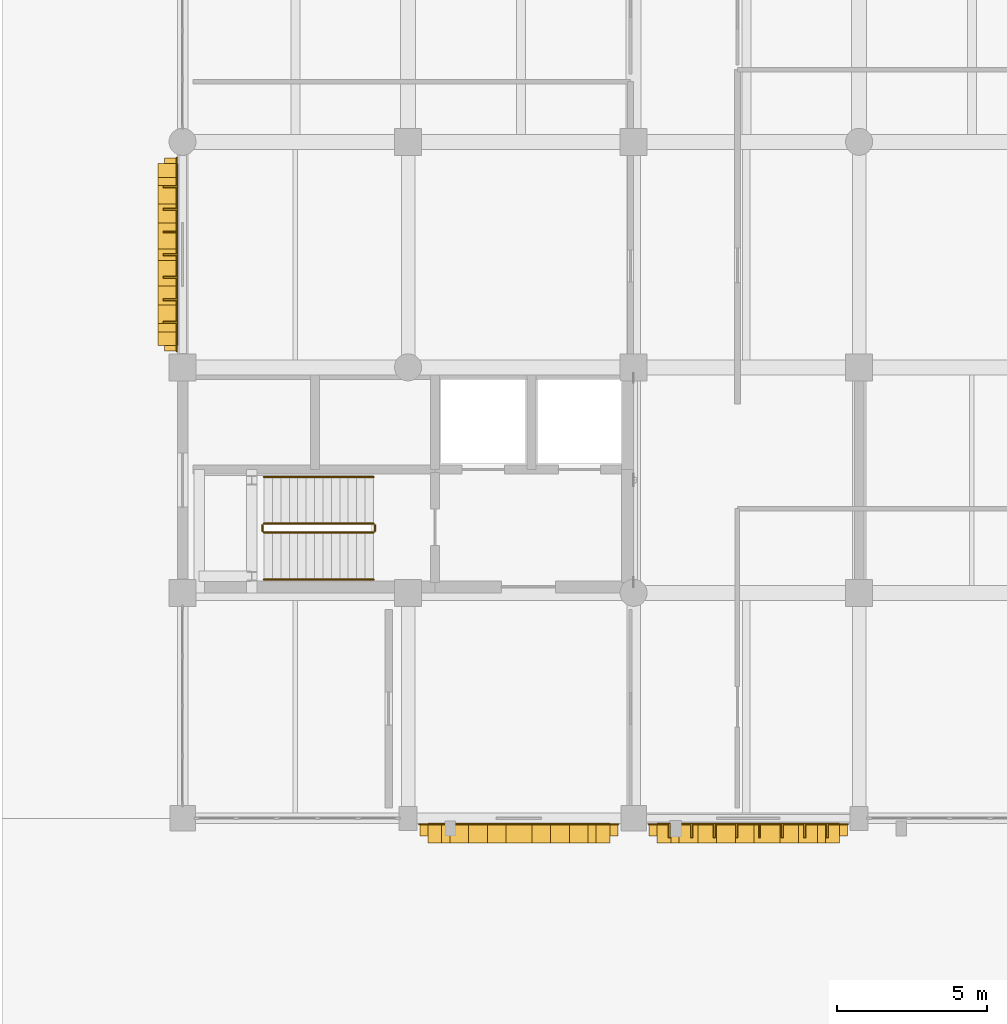
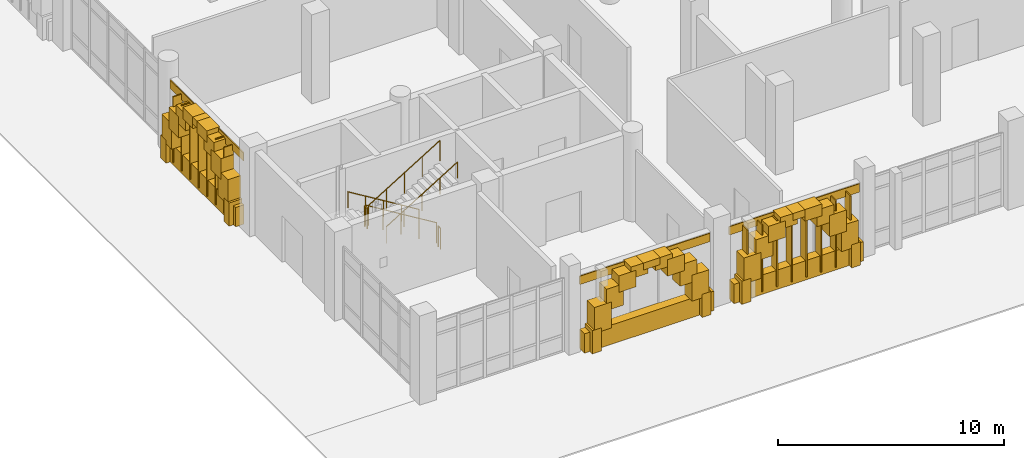
# One storey, part 101 of 125: 39 coverings, 15 shading devices, 6 railings.
"""IFC4 building model written with IfcOpenShell, lengths in metres."""

from ifc_helpers import new_model, si_unit, direction, frame, origin, origin_2d, place, context, subcontext, project, spatial, rectangle, circle, extrude, material, layer, layer_set, type_object, element, save


model = new_model("IFC4")

# Units and contexts
model_context = context("Model", 3, precision=1e-05, world=origin(), true_north=direction((0.0, 1.0)))
body_context = subcontext(model_context, "Body", "Model", "MODEL_VIEW")
ifc_project = project(units=[si_unit("LENGTHUNIT", "METRE"), si_unit("AREAUNIT", "SQUARE_METRE"), si_unit("VOLUMEUNIT", "CUBIC_METRE"), si_unit("PLANEANGLEUNIT", "RADIAN"), si_unit("MASSUNIT", "GRAM", prefix="KILO")], contexts=[model_context])

# Site, building, storey
site_placement = place(None, origin())
site = spatial("IfcSite", under=ifc_project, at=site_placement, CompositionType="ELEMENT")
building_placement = place(site_placement, origin())
building = spatial("IfcBuilding", under=site, at=building_placement, Name="Dalvernix Boulevard General Hospital", CompositionType="ELEMENT")
storey_placement = place(building_placement, origin())
storey = spatial("IfcBuildingStorey", under=building, at=storey_placement, Name="L00", CompositionType="ELEMENT", Elevation=0.0)

# Coverings
ifc_material_1 = material(Name="Pressed Catalan clay brick and dressed limestone parabolic archivolt", Category="masonry")
ifc_layer_1 = layer(ifc_material_1, 0.419921875)
ifc_layer_set_1 = layer_set([ifc_layer_1], Name="Pressed Catalan clay brick and dressed limestone parabolic archivolt (COV-ARC-01)")
covering_type_1 = type_object("IfcCoveringType", Name="COV-ARC-01", PredefinedType="CLADDING", material=ifc_layer_set_1)
for number, where, z_axis, x_axis, name in (
    (1, (-0.485107421875, 15.949951171875, 0.0), (0.0, 0.0, 1.0), (0.0, 1.0, 0.0), "L00 Catalan parabolic arch impost pier W 0-2-L"),
    (2, (-0.485107421875, 21.550048828125, 0.0), (0.0, 0.0, 1.0), (0.0, 1.0, 0.0), "L00 Catalan parabolic arch impost pier W 0-2-R"),
):
    element("IfcCovering", number, at=place(storey_placement, frame(where, z_axis=z_axis, x_axis=x_axis)), inside=storey, type_object=covering_type_1, Name=name, PredefinedType="CLADDING", context=body_context, shape_type="SweptSolid", body=[
        extrude(rectangle(XDim=0.4599609375, YDim=0.659912109375, at=origin_2d()), origin(), (0.0, 0.0, 1.0), 1.25),
    ])
covering_1_placement = place(storey_placement, frame((-0.485107421875, 16.260986328125, 1.06005859375), z_axis=(0.0, 0.0, 1.0), x_axis=(0.0, 1.0, 0.0)))
element("IfcCovering", 3, at=covering_1_placement, inside=storey, type_object=covering_type_1, Name="L00 Catalan parabolic archivolt voussoir W 0-2-1", PredefinedType="CLADDING", context=body_context, shape_type="SweptSolid", body=[
    extrude(rectangle(XDim=0.8623046875, YDim=0.659912109375, at=origin_2d()), origin(), (0.0, 0.0, 1.0), 1.37939453125),
])
covering_2_placement = place(storey_placement, frame((-0.485107421875, 16.88330078125, 2.0595703125), z_axis=(0.0, 0.0, 1.0), x_axis=(0.0, 1.0, 0.0)))
element("IfcCovering", 4, at=covering_2_placement, inside=storey, type_object=covering_type_1, Name="L00 Catalan parabolic archivolt voussoir W 0-2-2", PredefinedType="CLADDING", context=body_context, shape_type="SweptSolid", body=[
    extrude(rectangle(XDim=0.8623046875, YDim=0.659912109375, at=origin_2d()), origin(), (0.0, 0.0, 1.0), 1.129638671875),
])
covering_3_placement = place(storey_placement, frame((-0.485107421875, 17.505615234375, 2.80908203125), z_axis=(0.0, 0.0, 1.0), x_axis=(0.0, 1.0, 0.0)))
element("IfcCovering", 5, at=covering_3_placement, inside=storey, type_object=covering_type_1, Name="L00 Catalan parabolic archivolt voussoir W 0-2-3", PredefinedType="CLADDING", context=body_context, shape_type="SweptSolid", body=[
    extrude(rectangle(XDim=0.8623046875, YDim=0.659912109375, at=origin_2d()), origin(), (0.0, 0.0, 1.0), 0.8798828125),
])
covering_4_placement = place(storey_placement, frame((-0.485107421875, 18.127685546875, 3.308837890625), z_axis=(0.0, 0.0, 1.0), x_axis=(0.0, 1.0, 0.0)))
element("IfcCovering", 6, at=covering_4_placement, inside=storey, type_object=covering_type_1, Name="L00 Catalan parabolic archivolt voussoir W 0-2-4", PredefinedType="CLADDING", context=body_context, shape_type="SweptSolid", body=[
    extrude(rectangle(XDim=0.8623046875, YDim=0.659912109375, at=origin_2d()), origin(), (0.0, 0.0, 1.0), 0.6298828125),
])
covering_5_placement = place(storey_placement, frame((-0.485107421875, 18.75, 3.558837890625), z_axis=(0.0, 0.0, 1.0), x_axis=(0.0, 1.0, 0.0)))
element("IfcCovering", 7, at=covering_5_placement, inside=storey, type_object=covering_type_1, Name="L00 Catalan parabolic archivolt voussoir W 0-2-5", PredefinedType="CLADDING", context=body_context, shape_type="SweptSolid", body=[
    extrude(rectangle(XDim=0.8623046875, YDim=0.659912109375, at=origin_2d()), origin(), (0.0, 0.0, 1.0), 0.3798828125),
])
covering_6_placement = place(storey_placement, frame((-0.485107421875, 19.372314453125, 3.308837890625), z_axis=(0.0, 0.0, 1.0), x_axis=(0.0, 1.0, 0.0)))
element("IfcCovering", 8, at=covering_6_placement, inside=storey, type_object=covering_type_1, Name="L00 Catalan parabolic archivolt voussoir W 0-2-6", PredefinedType="CLADDING", context=body_context, shape_type="SweptSolid", body=[
    extrude(rectangle(XDim=0.8623046875, YDim=0.659912109375, at=origin_2d()), origin(), (0.0, 0.0, 1.0), 0.6298828125),
])
covering_7_placement = place(storey_placement, frame((-0.485107421875, 19.994384765625, 2.80908203125), z_axis=(0.0, 0.0, 1.0), x_axis=(0.0, 1.0, 0.0)))
element("IfcCovering", 9, at=covering_7_placement, inside=storey, type_object=covering_type_1, Name="L00 Catalan parabolic archivolt voussoir W 0-2-7", PredefinedType="CLADDING", context=body_context, shape_type="SweptSolid", body=[
    extrude(rectangle(XDim=0.8623046875, YDim=0.659912109375, at=origin_2d()), origin(), (0.0, 0.0, 1.0), 0.8798828125),
])
covering_8_placement = place(storey_placement, frame((-0.485107421875, 20.61669921875, 2.0595703125), z_axis=(0.0, 0.0, 1.0), x_axis=(0.0, 1.0, 0.0)))
element("IfcCovering", 10, at=covering_8_placement, inside=storey, type_object=covering_type_1, Name="L00 Catalan parabolic archivolt voussoir W 0-2-8", PredefinedType="CLADDING", context=body_context, shape_type="SweptSolid", body=[
    extrude(rectangle(XDim=0.8623046875, YDim=0.659912109375, at=origin_2d()), origin(), (0.0, 0.0, 1.0), 1.129638671875),
])
covering_9_placement = place(storey_placement, frame((-0.485107421875, 21.239013671875, 1.06005859375), z_axis=(0.0, 0.0, 1.0), x_axis=(0.0, 1.0, 0.0)))
element("IfcCovering", 11, at=covering_9_placement, inside=storey, type_object=covering_type_1, Name="L00 Catalan parabolic archivolt voussoir W 0-2-9", PredefinedType="CLADDING", context=body_context, shape_type="SweptSolid", body=[
    extrude(rectangle(XDim=0.8623046875, YDim=0.659912109375, at=origin_2d()), origin(), (0.0, 0.0, 1.0), 1.37939453125),
])
for number, where, z_axis, x_axis, name in (
    (12, (13.987548828125, -0.485107421875, 0.0), (0.0, 0.0, 1.0), (-1.0, 0.0, 0.0), "L00 Catalan parabolic arch impost pier S 1-0-L"),
    (13, (8.387451171875, -0.485107421875, 0.0), (0.0, 0.0, 1.0), (-1.0, 0.0, 0.0), "L00 Catalan parabolic arch impost pier S 1-0-R"),
):
    element("IfcCovering", number, at=place(storey_placement, frame(where, z_axis=z_axis, x_axis=x_axis)), inside=storey, type_object=covering_type_1, Name=name, PredefinedType="CLADDING", context=body_context, shape_type="SweptSolid", body=[
        extrude(rectangle(XDim=0.4599609375, YDim=0.659912109375, at=origin_2d()), origin(), (0.0, 0.0, 1.0), 1.25),
    ])
covering_10_placement = place(storey_placement, frame((13.676513671875, -0.485107421875, 1.059814453125), z_axis=(0.0, 0.0, 1.0), x_axis=(-1.0, 0.0, 0.0)))
element("IfcCovering", 14, at=covering_10_placement, inside=storey, type_object=covering_type_1, Name="L00 Catalan parabolic archivolt voussoir S 1-0-1", PredefinedType="CLADDING", context=body_context, shape_type="SweptSolid", body=[
    extrude(rectangle(XDim=0.8623046875, YDim=0.659912109375, at=origin_2d()), origin(), (0.0, 0.0, 1.0), 1.3994140625),
])
covering_11_placement = place(storey_placement, frame((13.05419921875, -0.485107421875, 2.07958984375), z_axis=(0.0, 0.0, 1.0), x_axis=(-1.0, 0.0, 0.0)))
element("IfcCovering", 15, at=covering_11_placement, inside=storey, type_object=covering_type_1, Name="L00 Catalan parabolic archivolt voussoir S 1-0-2", PredefinedType="CLADDING", context=body_context, shape_type="SweptSolid", body=[
    extrude(rectangle(XDim=0.8623046875, YDim=0.659912109375, at=origin_2d()), origin(), (0.0, 0.0, 1.0), 1.144287109375),
])
covering_12_placement = place(storey_placement, frame((12.431884765625, -0.485107421875, 2.84375), z_axis=(0.0, 0.0, 1.0), x_axis=(-1.0, 0.0, 0.0)))
element("IfcCovering", 16, at=covering_12_placement, inside=storey, type_object=covering_type_1, Name="L00 Catalan parabolic archivolt voussoir S 1-0-3", PredefinedType="CLADDING", context=body_context, shape_type="SweptSolid", body=[
    extrude(rectangle(XDim=0.8623046875, YDim=0.659912109375, at=origin_2d()), origin(), (0.0, 0.0, 1.0), 0.8896484375),
])
covering_13_placement = place(storey_placement, frame((11.809814453125, -0.485107421875, 3.353271484375), z_axis=(0.0, 0.0, 1.0), x_axis=(-1.0, 0.0, 0.0)))
element("IfcCovering", 17, at=covering_13_placement, inside=storey, type_object=covering_type_1, Name="L00 Catalan parabolic archivolt voussoir S 1-0-4", PredefinedType="CLADDING", context=body_context, shape_type="SweptSolid", body=[
    extrude(rectangle(XDim=0.8623046875, YDim=0.659912109375, at=origin_2d()), origin(), (0.0, 0.0, 1.0), 0.634765625),
])
covering_14_placement = place(storey_placement, frame((11.1875, -0.485107421875, 3.608154296875), z_axis=(0.0, 0.0, 1.0), x_axis=(-1.0, 0.0, 0.0)))
element("IfcCovering", 18, at=covering_14_placement, inside=storey, type_object=covering_type_1, Name="L00 Catalan parabolic archivolt voussoir S 1-0-5", PredefinedType="CLADDING", context=body_context, shape_type="SweptSolid", body=[
    extrude(rectangle(XDim=0.8623046875, YDim=0.659912109375, at=origin_2d()), origin(), (0.0, 0.0, 1.0), 0.3798828125),
])
covering_15_placement = place(storey_placement, frame((10.565185546875, -0.485107421875, 3.353271484375), z_axis=(0.0, 0.0, 1.0), x_axis=(-1.0, 0.0, 0.0)))
element("IfcCovering", 19, at=covering_15_placement, inside=storey, type_object=covering_type_1, Name="L00 Catalan parabolic archivolt voussoir S 1-0-6", PredefinedType="CLADDING", context=body_context, shape_type="SweptSolid", body=[
    extrude(rectangle(XDim=0.8623046875, YDim=0.659912109375, at=origin_2d()), origin(), (0.0, 0.0, 1.0), 0.634765625),
])
covering_16_placement = place(storey_placement, frame((9.943115234375, -0.485107421875, 2.84375), z_axis=(0.0, 0.0, 1.0), x_axis=(-1.0, 0.0, 0.0)))
element("IfcCovering", 20, at=covering_16_placement, inside=storey, type_object=covering_type_1, Name="L00 Catalan parabolic archivolt voussoir S 1-0-7", PredefinedType="CLADDING", context=body_context, shape_type="SweptSolid", body=[
    extrude(rectangle(XDim=0.8623046875, YDim=0.659912109375, at=origin_2d()), origin(), (0.0, 0.0, 1.0), 0.8896484375),
])
covering_17_placement = place(storey_placement, frame((9.32080078125, -0.485107421875, 2.07958984375), z_axis=(0.0, 0.0, 1.0), x_axis=(-1.0, 0.0, 0.0)))
element("IfcCovering", 21, at=covering_17_placement, inside=storey, type_object=covering_type_1, Name="L00 Catalan parabolic archivolt voussoir S 1-0-8", PredefinedType="CLADDING", context=body_context, shape_type="SweptSolid", body=[
    extrude(rectangle(XDim=0.8623046875, YDim=0.659912109375, at=origin_2d()), origin(), (0.0, 0.0, 1.0), 1.144287109375),
])
covering_18_placement = place(storey_placement, frame((8.698486328125, -0.485107421875, 1.059814453125), z_axis=(0.0, 0.0, 1.0), x_axis=(-1.0, 0.0, 0.0)))
element("IfcCovering", 22, at=covering_18_placement, inside=storey, type_object=covering_type_1, Name="L00 Catalan parabolic archivolt voussoir S 1-0-9", PredefinedType="CLADDING", context=body_context, shape_type="SweptSolid", body=[
    extrude(rectangle(XDim=0.8623046875, YDim=0.659912109375, at=origin_2d()), origin(), (0.0, 0.0, 1.0), 1.3994140625),
])
for number, where, z_axis, x_axis, name in (
    (23, (21.612548828125, -0.485107421875, 0.0), (0.0, 0.0, 1.0), (-1.0, 0.0, 0.0), "L00 Catalan parabolic arch impost pier S 2-0-L"),
    (24, (16.012451171875, -0.485107421875, 0.0), (0.0, 0.0, 1.0), (-1.0, 0.0, 0.0), "L00 Catalan parabolic arch impost pier S 2-0-R"),
):
    element("IfcCovering", number, at=place(storey_placement, frame(where, z_axis=z_axis, x_axis=x_axis)), inside=storey, type_object=covering_type_1, Name=name, PredefinedType="CLADDING", context=body_context, shape_type="SweptSolid", body=[
        extrude(rectangle(XDim=0.4599609375, YDim=0.659912109375, at=origin_2d()), origin(), (0.0, 0.0, 1.0), 1.25),
    ])
covering_19_placement = place(storey_placement, frame((21.301513671875, -0.485107421875, 1.059814453125), z_axis=(0.0, 0.0, 1.0), x_axis=(-1.0, 0.0, 0.0)))
element("IfcCovering", 25, at=covering_19_placement, inside=storey, type_object=covering_type_1, Name="L00 Catalan parabolic archivolt voussoir S 2-0-1", PredefinedType="CLADDING", context=body_context, shape_type="SweptSolid", body=[
    extrude(rectangle(XDim=0.8623046875, YDim=0.659912109375, at=origin_2d()), origin(), (0.0, 0.0, 1.0), 1.3994140625),
])
covering_20_placement = place(storey_placement, frame((20.67919921875, -0.485107421875, 2.07958984375), z_axis=(0.0, 0.0, 1.0), x_axis=(-1.0, 0.0, 0.0)))
element("IfcCovering", 26, at=covering_20_placement, inside=storey, type_object=covering_type_1, Name="L00 Catalan parabolic archivolt voussoir S 2-0-2", PredefinedType="CLADDING", context=body_context, shape_type="SweptSolid", body=[
    extrude(rectangle(XDim=0.8623046875, YDim=0.659912109375, at=origin_2d()), origin(), (0.0, 0.0, 1.0), 1.144287109375),
])
covering_21_placement = place(storey_placement, frame((20.056884765625, -0.485107421875, 2.84375), z_axis=(0.0, 0.0, 1.0), x_axis=(-1.0, 0.0, 0.0)))
element("IfcCovering", 27, at=covering_21_placement, inside=storey, type_object=covering_type_1, Name="L00 Catalan parabolic archivolt voussoir S 2-0-3", PredefinedType="CLADDING", context=body_context, shape_type="SweptSolid", body=[
    extrude(rectangle(XDim=0.8623046875, YDim=0.659912109375, at=origin_2d()), origin(), (0.0, 0.0, 1.0), 0.8896484375),
])
covering_22_placement = place(storey_placement, frame((19.434814453125, -0.485107421875, 3.353271484375), z_axis=(0.0, 0.0, 1.0), x_axis=(-1.0, 0.0, 0.0)))
element("IfcCovering", 28, at=covering_22_placement, inside=storey, type_object=covering_type_1, Name="L00 Catalan parabolic archivolt voussoir S 2-0-4", PredefinedType="CLADDING", context=body_context, shape_type="SweptSolid", body=[
    extrude(rectangle(XDim=0.8623046875, YDim=0.659912109375, at=origin_2d()), origin(), (0.0, 0.0, 1.0), 0.634765625),
])
covering_23_placement = place(storey_placement, frame((18.8125, -0.485107421875, 3.608154296875), z_axis=(0.0, 0.0, 1.0), x_axis=(-1.0, 0.0, 0.0)))
element("IfcCovering", 29, at=covering_23_placement, inside=storey, type_object=covering_type_1, Name="L00 Catalan parabolic archivolt voussoir S 2-0-5", PredefinedType="CLADDING", context=body_context, shape_type="SweptSolid", body=[
    extrude(rectangle(XDim=0.8623046875, YDim=0.659912109375, at=origin_2d()), origin(), (0.0, 0.0, 1.0), 0.3798828125),
])
covering_24_placement = place(storey_placement, frame((18.190185546875, -0.485107421875, 3.353271484375), z_axis=(0.0, 0.0, 1.0), x_axis=(-1.0, 0.0, 0.0)))
element("IfcCovering", 30, at=covering_24_placement, inside=storey, type_object=covering_type_1, Name="L00 Catalan parabolic archivolt voussoir S 2-0-6", PredefinedType="CLADDING", context=body_context, shape_type="SweptSolid", body=[
    extrude(rectangle(XDim=0.8623046875, YDim=0.659912109375, at=origin_2d()), origin(), (0.0, 0.0, 1.0), 0.634765625),
])
covering_25_placement = place(storey_placement, frame((17.568115234375, -0.485107421875, 2.84375), z_axis=(0.0, 0.0, 1.0), x_axis=(-1.0, 0.0, 0.0)))
element("IfcCovering", 31, at=covering_25_placement, inside=storey, type_object=covering_type_1, Name="L00 Catalan parabolic archivolt voussoir S 2-0-7", PredefinedType="CLADDING", context=body_context, shape_type="SweptSolid", body=[
    extrude(rectangle(XDim=0.8623046875, YDim=0.659912109375, at=origin_2d()), origin(), (0.0, 0.0, 1.0), 0.8896484375),
])
covering_26_placement = place(storey_placement, frame((16.94580078125, -0.485107421875, 2.07958984375), z_axis=(0.0, 0.0, 1.0), x_axis=(-1.0, 0.0, 0.0)))
element("IfcCovering", 32, at=covering_26_placement, inside=storey, type_object=covering_type_1, Name="L00 Catalan parabolic archivolt voussoir S 2-0-8", PredefinedType="CLADDING", context=body_context, shape_type="SweptSolid", body=[
    extrude(rectangle(XDim=0.8623046875, YDim=0.659912109375, at=origin_2d()), origin(), (0.0, 0.0, 1.0), 1.144287109375),
])
covering_27_placement = place(storey_placement, frame((16.323486328125, -0.485107421875, 1.059814453125), z_axis=(0.0, 0.0, 1.0), x_axis=(-1.0, 0.0, 0.0)))
element("IfcCovering", 33, at=covering_27_placement, inside=storey, type_object=covering_type_1, Name="L00 Catalan parabolic archivolt voussoir S 2-0-9", PredefinedType="CLADDING", context=body_context, shape_type="SweptSolid", body=[
    extrude(rectangle(XDim=0.8623046875, YDim=0.659912109375, at=origin_2d()), origin(), (0.0, 0.0, 1.0), 1.3994140625),
])
ifc_material_2 = material(Name="Polychrome Catalan glazed ceramic spandrel tile panel")
ifc_layer_2 = layer(ifc_material_2, 0.044921875)
ifc_layer_set_2 = layer_set([ifc_layer_2], Name="Polychrome Catalan glazed ceramic spandrel tile panel (COV-CLD-01)")
covering_type_2 = type_object("IfcCoveringType", Name="COV-CLD-01", PredefinedType="CLADDING", material=ifc_layer_set_2)
covering_28_placement = place(storey_placement, frame((-0.195068359375, 18.75, 3.4248046875), z_axis=(0.0, 0.0, 1.0), x_axis=(0.0, 1.0, 0.0)))
element("IfcCovering", 34, at=covering_28_placement, inside=storey, type_object=covering_type_2, Name="L00 polychrome ceramic spandrel W 0-2", PredefinedType="CLADDING", context=body_context, shape_type="SweptSolid", body=[
    extrude(rectangle(XDim=6.47998046875, YDim=0.044921875, at=origin_2d()), origin(), (0.0, 0.0, 1.0), 0.449951171875),
])
for number, where, z_axis, x_axis, name in (
    (35, (11.1875, -0.195068359375, 3.47509765625), (0.0, 0.0, 1.0), (-1.0, 0.0, 0.0), "L00 polychrome ceramic spandrel S 1-0"),
    (36, (18.8125, -0.195068359375, 3.47509765625), (0.0, 0.0, 1.0), (-1.0, 0.0, 0.0), "L00 polychrome ceramic spandrel S 2-0"),
):
    element("IfcCovering", number, at=place(storey_placement, frame(where, z_axis=z_axis, x_axis=x_axis)), inside=storey, type_object=covering_type_2, Name=name, PredefinedType="CLADDING", context=body_context, shape_type="SweptSolid", body=[
        extrude(rectangle(XDim=6.655029296875, YDim=0.044921875, at=origin_2d()), origin(), (0.0, 0.0, 1.0), 0.449951171875),
    ])
ifc_material_3 = material(Name="Dressed ochre limestone classical plinth, stringcourse and corbelled cornice", Category="masonry")
ifc_layer_3 = layer(ifc_material_3, 0.449951171875)
ifc_layer_set_3 = layer_set([ifc_layer_3], Name="Dressed ochre limestone classical plinth, stringcourse and corbelled cornice (COV-CRN-01)")
covering_type_3 = type_object("IfcCoveringType", Name="COV-CRN-01", PredefinedType="CLADDING", material=ifc_layer_set_3)
covering_29_placement = place(storey_placement, frame((-0.375, 18.75, 0.0), z_axis=(0.0, 0.0, 1.0), x_axis=(0.0, 1.0, 0.0)))
element("IfcCovering", 37, at=covering_29_placement, inside=storey, type_object=covering_type_3, Name="L00 rusticated limestone classical plinth W 0-2", PredefinedType="CLADDING", context=body_context, shape_type="SweptSolid", body=[
    extrude(rectangle(XDim=6.419921875, YDim=0.43994140625, at=origin_2d()), origin(), (0.0, 0.0, 1.0), 1.0400390625),
])
for number, where, z_axis, x_axis, name in (
    (38, (11.1875, -0.375, 0.0), (0.0, 0.0, 1.0), (-1.0, 0.0, 0.0), "L00 rusticated limestone classical plinth S 1-0"),
    (39, (18.8125, -0.375, 0.0), (0.0, 0.0, 1.0), (-1.0, 0.0, 0.0), "L00 rusticated limestone classical plinth S 2-0"),
):
    element("IfcCovering", number, at=place(storey_placement, frame(where, z_axis=z_axis, x_axis=x_axis)), inside=storey, type_object=covering_type_3, Name=name, PredefinedType="CLADDING", context=body_context, shape_type="SweptSolid", body=[
        extrude(rectangle(XDim=6.594970703125, YDim=0.43994140625, at=origin_2d()), origin(), (0.0, 0.0, 1.0), 1.0400390625),
    ])

# Railings
ifc_material_4 = material(Name="Brushed stainless steel balustrade", Category="steel")
railing_type_1 = type_object("IfcRailingType", Name="RL-GR-INT1", PredefinedType="BALUSTRADE", material=ifc_material_4)
railing_1_placement = place(storey_placement, frame((6.35009765625, 9.800048828125, 0.17138671875)))
element("IfcRailing", 40, at=railing_1_placement, inside=storey, type_object=railing_type_1, Name="L00 ST-01 stair guard 1", PredefinedType="BALUSTRADE", context=body_context, shape_type="SweptSolid", body=[
    extrude(circle(Radius=0.02392578125, at=origin_2d()), frame((0.0, 0.0, 1.09619140625), z_axis=(-0.852865859571, 0.0, 0.52213008492), x_axis=(0.0, -1.0, 0.0)), (0.0, 0.0, 1.0), 4.26806640625),
    extrude(circle(Radius=0.02099609375, at=origin_2d()), origin(), (0.0, 0.0, 1.0), 1.072021484375),
    extrude(circle(Radius=0.02099609375, at=origin_2d()), frame((-0.91015625, 0.0, 0.55712890625)), (0.0, 0.0, 1.0), 1.072021484375),
    extrude(circle(Radius=0.02099609375, at=origin_2d()), frame((-1.820068359375, 0.0, 1.1142578125)), (0.0, 0.0, 1.0), 1.072021484375),
    extrude(circle(Radius=0.02099609375, at=origin_2d()), frame((-2.72998046875, 0.0, 1.67138671875)), (0.0, 0.0, 1.0), 1.072021484375),
    extrude(circle(Radius=0.02099609375, at=origin_2d()), frame((-3.64013671875, 0.0, 2.228515625)), (0.0, 0.0, 1.0), 1.072021484375),
])
railing_2_placement = place(storey_placement, frame((2.659912109375, 9.75, 2.39990234375)))
element("IfcRailing", 41, at=railing_2_placement, inside=storey, type_object=railing_type_1, Name="L00 ST-01 stair guard 2", PredefinedType="BALUSTRADE", context=body_context, shape_type="SweptSolid", body=[
    extrude(circle(Radius=0.02392578125, at=origin_2d()), frame((0.0, 0.0, 1.09619140625), z_axis=(0.0, -1.0, 0.0), x_axis=(1.0, 0.0, 0.0)), (0.0, 0.0, 1.0), 0.199951171875),
    extrude(circle(Radius=0.02099609375, at=origin_2d()), origin(), (0.0, 0.0, 1.0), 1.072021484375),
    extrude(circle(Radius=0.02099609375, at=origin_2d()), frame((0.0, -0.199951171875, 0.0)), (0.0, 0.0, 1.0), 1.072021484375),
])
railing_3_placement = place(storey_placement, frame((2.7099609375, 9.5, 2.571533203125)))
element("IfcRailing", 42, at=railing_3_placement, inside=storey, type_object=railing_type_1, Name="L00 ST-01 stair guard 3", PredefinedType="BALUSTRADE", context=body_context, shape_type="SweptSolid", body=[
    extrude(circle(Radius=0.02392578125, at=origin_2d()), frame((0.0, 0.0, 1.09619140625), z_axis=(0.852865859571, 0.0, 0.52213008492), x_axis=(0.0, 1.0, 0.0)), (0.0, 0.0, 1.0), 4.26806640625),
    extrude(circle(Radius=0.02099609375, at=origin_2d()), origin(), (0.0, 0.0, 1.0), 1.072021484375),
    extrude(circle(Radius=0.02099609375, at=origin_2d()), frame((0.91015625, 0.0, 0.55712890625)), (0.0, 0.0, 1.0), 1.072021484375),
    extrude(circle(Radius=0.02099609375, at=origin_2d()), frame((1.820068359375, 0.0, 1.1142578125)), (0.0, 0.0, 1.0), 1.072021484375),
    extrude(circle(Radius=0.02099609375, at=origin_2d()), frame((2.72998046875, 0.0, 1.67138671875)), (0.0, 0.0, 1.0), 1.072021484375),
    extrude(circle(Radius=0.02099609375, at=origin_2d()), frame((3.64013671875, 0.0, 2.228515625)), (0.0, 0.0, 1.0), 1.072021484375),
])
railing_4_placement = place(storey_placement, frame((6.39990234375, 9.75, 0.0)))
element("IfcRailing", 43, at=railing_4_placement, inside=storey, type_object=railing_type_1, Name="L00 ST-01 stair guard 4", PredefinedType="BALUSTRADE", context=body_context, shape_type="SweptSolid", body=[
    extrude(circle(Radius=0.02392578125, at=origin_2d()), frame((0.0, 0.0, 1.09619140625), z_axis=(0.0, -1.0, 0.0), x_axis=(1.0, 0.0, 0.0)), (0.0, 0.0, 1.0), 0.199951171875),
    extrude(circle(Radius=0.02099609375, at=origin_2d()), origin(), (0.0, 0.0, 1.0), 1.072021484375),
    extrude(circle(Radius=0.02099609375, at=origin_2d()), frame((0.0, -0.199951171875, 0.0)), (0.0, 0.0, 1.0), 1.072021484375),
])
ifc_material_5 = material(Name="Brushed stainless steel wall handrail", Category="steel")
railing_type_2 = type_object("IfcRailingType", Name="RL-HR-INT1", PredefinedType="HANDRAIL", material=ifc_material_5)
railing_5_placement = place(storey_placement, frame((6.35009765625, 11.35009765625, 0.17138671875)))
element("IfcRailing", 44, at=railing_5_placement, inside=storey, type_object=railing_type_2, Name="L00 ST-01 stair handrail 1", PredefinedType="HANDRAIL", context=body_context, shape_type="SweptSolid", body=[
    extrude(circle(Radius=0.02392578125, at=origin_2d()), frame((0.0, 0.0, 0.8759765625), z_axis=(-0.852865859571, 0.0, 0.52213008492), x_axis=(0.0, -1.0, 0.0)), (0.0, 0.0, 1.0), 4.26806640625),
    extrude(circle(Radius=0.02099609375, at=origin_2d()), origin(), (0.0, 0.0, 1.0), 0.851806640625),
    extrude(circle(Radius=0.02099609375, at=origin_2d()), frame((-0.91015625, 0.0, 0.55712890625)), (0.0, 0.0, 1.0), 0.851806640625),
    extrude(circle(Radius=0.02099609375, at=origin_2d()), frame((-1.820068359375, 0.0, 1.1142578125)), (0.0, 0.0, 1.0), 0.851806640625),
    extrude(circle(Radius=0.02099609375, at=origin_2d()), frame((-2.72998046875, 0.0, 1.67138671875)), (0.0, 0.0, 1.0), 0.851806640625),
    extrude(circle(Radius=0.02099609375, at=origin_2d()), frame((-3.64013671875, 0.0, 2.228515625)), (0.0, 0.0, 1.0), 0.851806640625),
])
railing_6_placement = place(storey_placement, frame((2.7099609375, 7.949951171875, 2.571533203125)))
element("IfcRailing", 45, at=railing_6_placement, inside=storey, type_object=railing_type_2, Name="L00 ST-01 stair handrail 2", PredefinedType="HANDRAIL", context=body_context, shape_type="SweptSolid", body=[
    extrude(circle(Radius=0.02392578125, at=origin_2d()), frame((0.0, 0.0, 0.8759765625), z_axis=(0.852865859571, 0.0, 0.52213008492), x_axis=(0.0, 1.0, 0.0)), (0.0, 0.0, 1.0), 4.26806640625),
    extrude(circle(Radius=0.02099609375, at=origin_2d()), origin(), (0.0, 0.0, 1.0), 0.851806640625),
    extrude(circle(Radius=0.02099609375, at=origin_2d()), frame((0.91015625, 0.0, 0.55712890625)), (0.0, 0.0, 1.0), 0.851806640625),
    extrude(circle(Radius=0.02099609375, at=origin_2d()), frame((1.820068359375, 0.0, 1.1142578125)), (0.0, 0.0, 1.0), 0.851806640625),
    extrude(circle(Radius=0.02099609375, at=origin_2d()), frame((2.72998046875, 0.0, 1.67138671875)), (0.0, 0.0, 1.0), 0.851806640625),
    extrude(circle(Radius=0.02099609375, at=origin_2d()), frame((3.64013671875, 0.0, 2.228515625)), (0.0, 0.0, 1.0), 0.851806640625),
])

# Shading devices
ifc_material_6 = material(Name="Preservative-treated West African iroko timber", Category="wood")
shading_device_type = type_object("IfcShadingDeviceType", Name="SHD-FIN-01", PredefinedType="USERDEFINED", material=ifc_material_6)
for number, where, z_axis, x_axis, name in (
    (46, (-0.405029296875, 16.5, 0.1748046875), (0.0, 0.0, 1.0), (0.0, 1.0, 0.0), "L00 iroko brise-soleil fin 1"),
    (47, (-0.405029296875, 17.25, 0.1748046875), (0.0, 0.0, 1.0), (0.0, 1.0, 0.0), "L00 iroko brise-soleil fin 2"),
    (48, (-0.405029296875, 18.0, 0.1748046875), (0.0, 0.0, 1.0), (0.0, 1.0, 0.0), "L00 iroko brise-soleil fin 3"),
    (49, (-0.405029296875, 18.75, 0.1748046875), (0.0, 0.0, 1.0), (0.0, 1.0, 0.0), "L00 iroko brise-soleil fin 4"),
    (50, (-0.405029296875, 19.5, 0.1748046875), (0.0, 0.0, 1.0), (0.0, 1.0, 0.0), "L00 iroko brise-soleil fin 5"),
    (51, (-0.405029296875, 20.25, 0.1748046875), (0.0, 0.0, 1.0), (0.0, 1.0, 0.0), "L00 iroko brise-soleil fin 6"),
    (52, (-0.405029296875, 21.0, 0.1748046875), (0.0, 0.0, 1.0), (0.0, 1.0, 0.0), "L00 iroko brise-soleil fin 7"),
):
    element("IfcShadingDevice", number, at=place(storey_placement, frame(where, z_axis=z_axis, x_axis=x_axis)), inside=storey, type_object=shading_device_type, Name=name, ObjectType="FIN", PredefinedType="USERDEFINED", context=body_context, shape_type="SweptSolid", body=[
        extrude(rectangle(XDim=0.06494140625, YDim=0.47998046875, at=origin_2d()), origin(), (0.0, 0.0, 1.0), 3.550048828125),
    ])
for number, where, z_axis, x_axis, name in (
    (53, (21.4375, -0.405029296875, 0.175048828125), (0.0, 0.0, 1.0), (-1.0, 0.0, 0.0), "L00 iroko brise-soleil fin 1"),
    (54, (20.6875, -0.405029296875, 0.175048828125), (0.0, 0.0, 1.0), (-1.0, 0.0, 0.0), "L00 iroko brise-soleil fin 2"),
    (55, (19.9375, -0.405029296875, 0.175048828125), (0.0, 0.0, 1.0), (-1.0, 0.0, 0.0), "L00 iroko brise-soleil fin 3"),
    (56, (19.1875, -0.405029296875, 0.175048828125), (0.0, 0.0, 1.0), (-1.0, 0.0, 0.0), "L00 iroko brise-soleil fin 4"),
    (57, (18.4375, -0.405029296875, 0.175048828125), (0.0, 0.0, 1.0), (-1.0, 0.0, 0.0), "L00 iroko brise-soleil fin 5"),
    (58, (17.6875, -0.405029296875, 0.175048828125), (0.0, 0.0, 1.0), (-1.0, 0.0, 0.0), "L00 iroko brise-soleil fin 6"),
    (59, (16.9375, -0.405029296875, 0.175048828125), (0.0, 0.0, 1.0), (-1.0, 0.0, 0.0), "L00 iroko brise-soleil fin 7"),
    (60, (16.1875, -0.405029296875, 0.175048828125), (0.0, 0.0, 1.0), (-1.0, 0.0, 0.0), "L00 iroko brise-soleil fin 8"),
):
    element("IfcShadingDevice", number, at=place(storey_placement, frame(where, z_axis=z_axis, x_axis=x_axis)), inside=storey, type_object=shading_device_type, Name=name, ObjectType="FIN", PredefinedType="USERDEFINED", context=body_context, shape_type="SweptSolid", body=[
        extrude(rectangle(XDim=0.06494140625, YDim=0.47998046875, at=origin_2d()), origin(), (0.0, 0.0, 1.0), 3.60009765625),
    ])

save(model, "model.ifc")
